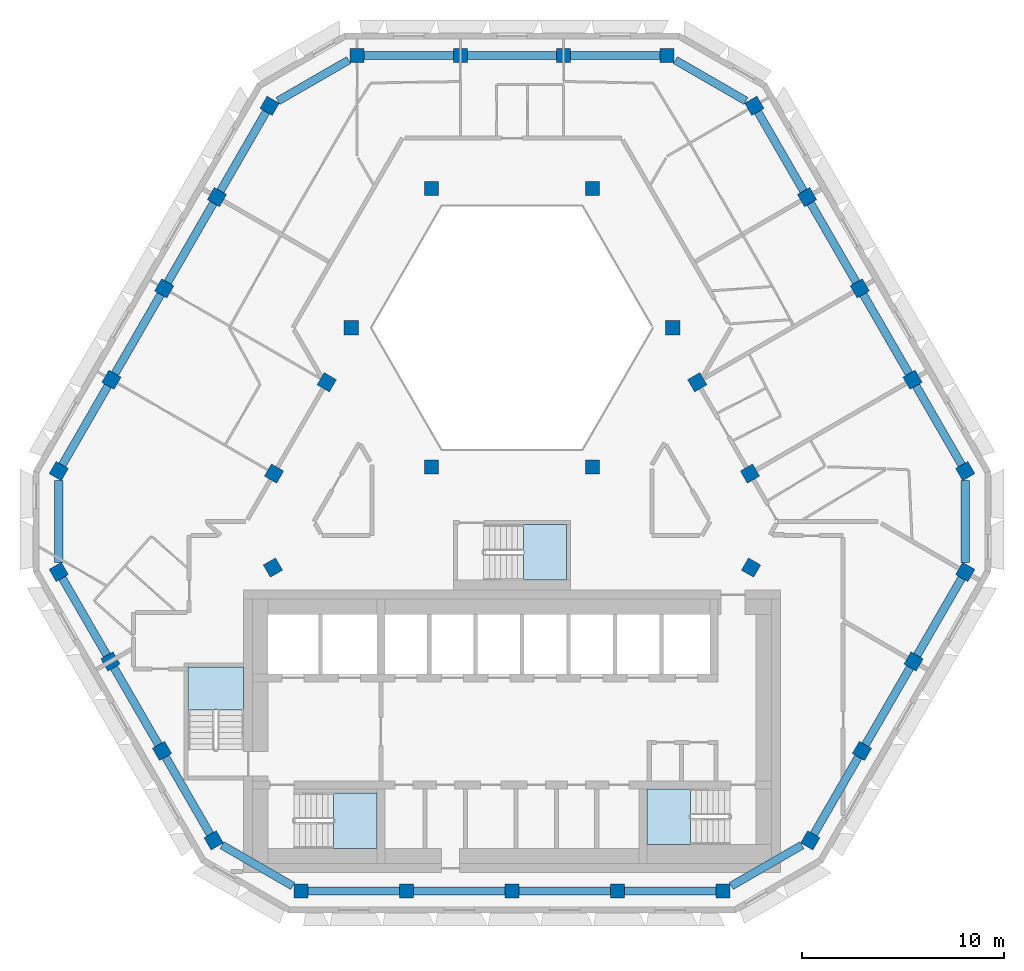
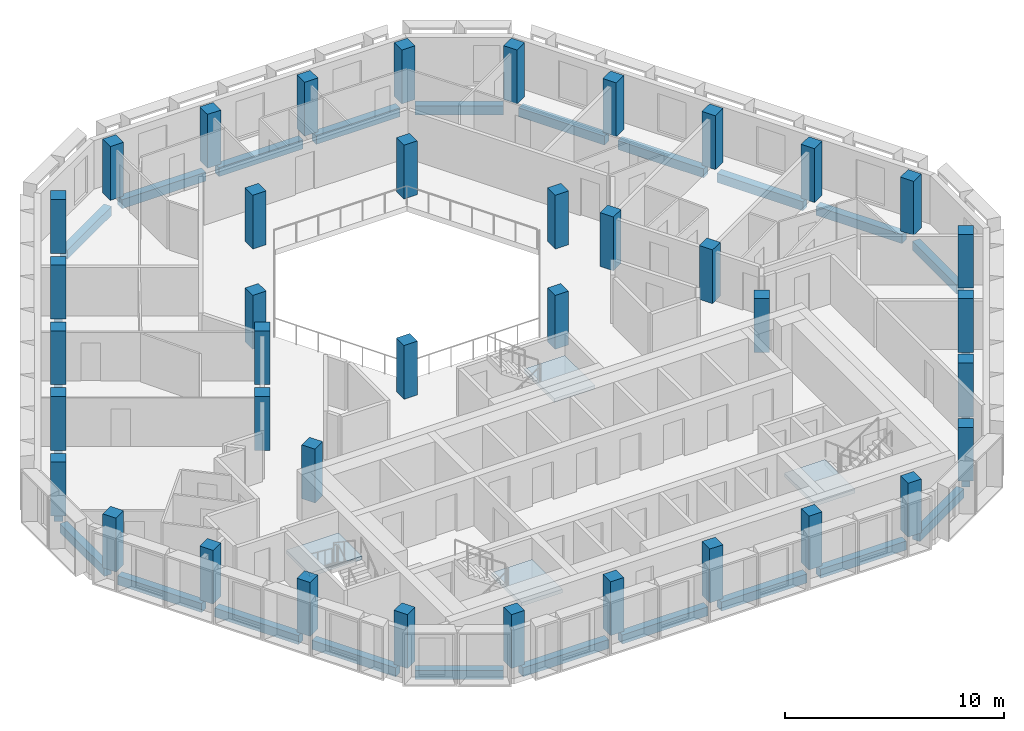
# One storey, part 1 of 14: 39 columns, 27 beams, 4 slabs, 4 elements without a shape of their own.
"""IFC4 building model written with IfcOpenShell, lengths in metres."""

from ifc_helpers import new_model, si_unit, direction, frame, origin, origin_2d, place, context, subcontext, project, spatial, polyline, rectangle, outline, extrude, material, layer, layer_set, material_profile, profile_set, type_object, element, aggregate, save


model = new_model("IFC4")

# Units and contexts
model_context = context("Model", 3, precision=1e-05, world=origin(), true_north=direction((0.0, 1.0)))
body_context = subcontext(model_context, "Body", "Model", "MODEL_VIEW")
ifc_project = project(units=[si_unit("LENGTHUNIT", "METRE"), si_unit("AREAUNIT", "SQUARE_METRE"), si_unit("VOLUMEUNIT", "CUBIC_METRE"), si_unit("PLANEANGLEUNIT", "RADIAN"), si_unit("MASSUNIT", "GRAM", prefix="KILO")], contexts=[model_context])

# Site, building, storey
site_placement = place(None, origin())
site = spatial("IfcSite", under=ifc_project, at=site_placement, CompositionType="ELEMENT")
building_placement = place(site_placement, origin())
building = spatial("IfcBuilding", under=site, at=building_placement, Name="Beryl Residences", CompositionType="ELEMENT")
storey_placement = place(building_placement, frame((0.0, 0.0, 229.800048828125)))
storey = spatial("IfcBuildingStorey", under=building, at=storey_placement, Name="L71", CompositionType="ELEMENT", Elevation=229.800048828125)

# Columns
ifc_material_1 = material(Name="Concrete C50/60", Category="concrete")
ifc_material_profile_1 = material_profile(ifc_material_1, rectangle(XDim=0.699951171875, YDim=0.699951171875, at=origin_2d()))
ifc_profile_set_1 = profile_set([ifc_material_profile_1], Name="Concrete C50/60")
column_type_1 = type_object("IfcColumnType", Name="C5 tube column 700 x 700 C50/60", PredefinedType="COLUMN", material=ifc_profile_set_1)
for number, where, z_axis, x_axis, name in (
    (1, (7.678955078125, 21.5, 0.0), (0.0, 0.0, 1.0), (-1.0, 0.0, 0.0), "C5-N1 L71"),
    (2, (2.56005859375, 21.5, 0.0), (0.0, 0.0, 1.0), (-1.0, 0.0, 0.0), "C5-N2 L71"),
    (3, (-2.55908203125, 21.5, 0.0), (0.0, 0.0, 1.0), (-1.0, 0.0, 0.0), "C5-N3 L71"),
    (4, (-7.677978515625, 21.5, 0.0), (0.0, 0.0, 1.0), (-1.0, 0.0, 0.0), "C5-N4 L71"),
    (5, (-12.009033203125, 19.0, 0.0), (0.0, 0.0, 1.0), (-0.499969769706, -0.866042856549, 0.0), "C5-NW1 L71"),
    (6, (-14.62109375, 14.47509765625, 0.0), (0.0, 0.0, 1.0), (-0.499969769706, -0.866042856549, 0.0), "C5-NW2 L71"),
    (7, (-17.23291015625, 9.949951171875, 0.0), (0.0, 0.0, 1.0), (-0.499969769706, -0.866042856549, 0.0), "C5-NW3 L71"),
    (8, (-19.845947265625, 5.425048828125, 0.0), (0.0, 0.0, 1.0), (-0.499969769706, -0.866042856549, 0.0), "C5-NW4 L71"),
    (9, (-22.4580078125, 0.89990234375, 0.0), (0.0, 0.0, 1.0), (-0.499969769706, -0.866042856549, 0.0), "C5-NW5 L71"),
    (10, (-22.458984375, -4.10009765625, 0.0), (0.0, 0.0, 1.0), (0.499984884929, -0.866034130299, 0.0), "C5-SW1 L71"),
    (11, (-19.89892578125, -8.532958984375, 0.0), (0.0, 0.0, 1.0), (0.499984884929, -0.866034130299, 0.0), "C5-SW2 L71"),
    (12, (-17.340087890625, -12.966064453125, 0.0), (0.0, 0.0, 1.0), (0.499984884929, -0.866034130299, 0.0), "C5-SW3 L71"),
    (13, (-14.781005859375, -17.39892578125, 0.0), (0.0, 0.0, 1.0), (0.499984884929, -0.866034130299, 0.0), "C5-SW4 L71"),
    (14, (-10.449951171875, -19.89990234375, 0.0), (0.0, 0.0, 1.0), (1.0, 0.0, 0.0), "C5-S1 L71"),
    (15, (-5.22509765625, -19.89990234375, 0.0), (0.0, 0.0, 1.0), (1.0, 0.0, 0.0), "C5-S2 L71"),
    (16, (0.0, -19.89990234375, 0.0), (0.0, 0.0, 1.0), (1.0, 0.0, 0.0), "C5-S3 L71"),
    (17, (5.22509765625, -19.89990234375, 0.0), (0.0, 0.0, 1.0), (1.0, 0.0, 0.0), "C5-S4 L71"),
    (18, (10.449951171875, -19.89990234375, 0.0), (0.0, 0.0, 1.0), (1.0, 0.0, 0.0), "C5-S5 L71"),
    (19, (14.780029296875, -17.39990234375, 0.0), (0.0, 0.0, 1.0), (0.499984884929, 0.866034130299, 0.0), "C5-SE1 L71"),
    (20, (17.339111328125, -12.967041015625, 0.0), (0.0, 0.0, 1.0), (0.499984884929, 0.866034130299, 0.0), "C5-SE2 L71"),
    (21, (19.89892578125, -8.533935546875, 0.0), (0.0, 0.0, 1.0), (0.499984884929, 0.866034130299, 0.0), "C5-SE3 L71"),
    (22, (22.4580078125, -4.10107421875, 0.0), (0.0, 0.0, 1.0), (0.499984884929, 0.866034130299, 0.0), "C5-SE4 L71"),
    (23, (22.4580078125, 0.89990234375, 0.0), (0.0, 0.0, 1.0), (-0.499969769706, 0.866042856549, 0.0), "C5-NE1 L71"),
    (24, (19.845947265625, 5.425048828125, 0.0), (0.0, 0.0, 1.0), (-0.499969769706, 0.866042856549, 0.0), "C5-NE2 L71"),
    (25, (17.23291015625, 9.949951171875, 0.0), (0.0, 0.0, 1.0), (-0.499969769706, 0.866042856549, 0.0), "C5-NE3 L71"),
    (26, (14.62109375, 14.47509765625, 0.0), (0.0, 0.0, 1.0), (-0.499969769706, 0.866042856549, 0.0), "C5-NE4 L71"),
    (27, (12.009033203125, 19.0, 0.0), (0.0, 0.0, 1.0), (-0.499969769706, 0.866042856549, 0.0), "C5-NE5 L71"),
):
    element("IfcColumn", number, at=place(storey_placement, frame(where, z_axis=z_axis, x_axis=x_axis)), inside=storey, type_object=column_type_1, Name=name, PredefinedType="COLUMN", context=body_context, shape_type="SweptSolid", body=[
        extrude(rectangle(XDim=0.699951171875, YDim=0.699951171875, at=origin_2d()), origin(), (0.0, 0.0, 1.0), 3.0),
    ])
ifc_material_2 = material(Name="Concrete C50/60", Category="concrete")
ifc_material_profile_2 = material_profile(ifc_material_2, rectangle(XDim=0.699951171875, YDim=0.699951171875, at=origin_2d()))
ifc_profile_set_2 = profile_set([ifc_material_profile_2], Name="Concrete C50/60")
column_type_2 = type_object("IfcColumnType", Name="IC5 interior column 700 x 700 C50/60", PredefinedType="COLUMN", material=ifc_profile_set_2)
for number, where, z_axis, x_axis, name in (
    (28, (-11.844970703125, -3.883056640625, 0.0), (0.0, 0.0, 1.0), (0.499984884929, -0.866034130299, 0.0), "IC5-M01 L71"),
    (29, (11.844970703125, -3.884033203125, 0.0), (0.0, 0.0, 1.0), (0.499984884929, 0.866034130299, 0.0), "IC5-M02 L71"),
    (30, (11.7919921875, 0.77490234375, 0.0), (0.0, 0.0, 1.0), (-0.499969769706, 0.866042856549, 0.0), "IC5-M03 L71"),
    (31, (3.98388671875, 1.10009765625, 0.0), (0.0, 0.0, 1.0), (1.0, 0.0, 0.0), "IC5-A04 L71"),
    (32, (9.178955078125, 5.300048828125, 0.0), (0.0, 0.0, 1.0), (-0.499969769706, 0.866042856549, 0.0), "IC5-M05 L71"),
    (33, (7.967041015625, 8.0, 0.0), (0.0, 0.0, 1.0), (1.0, 0.0, 0.0), "IC5-A06 L71"),
    (34, (3.98388671875, 14.89990234375, 0.0), (0.0, 0.0, 1.0), (1.0, 0.0, 0.0), "IC5-A07 L71"),
    (35, (-3.98388671875, 14.89990234375, 0.0), (0.0, 0.0, 1.0), (1.0, 0.0, 0.0), "IC5-A08 L71"),
    (36, (-7.967041015625, 8.0, 0.0), (0.0, 0.0, 1.0), (1.0, 0.0, 0.0), "IC5-A09 L71"),
    (37, (-9.178955078125, 5.300048828125, 0.0), (0.0, 0.0, 1.0), (-0.499969769706, -0.866042856549, 0.0), "IC5-M10 L71"),
    (38, (-3.98388671875, 1.10009765625, 0.0), (0.0, 0.0, 1.0), (1.0, 0.0, 0.0), "IC5-A11 L71"),
    (39, (-11.7919921875, 0.77490234375, 0.0), (0.0, 0.0, 1.0), (-0.499969769706, -0.866042856549, 0.0), "IC5-M12 L71"),
):
    element("IfcColumn", number, at=place(storey_placement, frame(where, z_axis=z_axis, x_axis=x_axis)), inside=storey, type_object=column_type_2, Name=name, PredefinedType="COLUMN", context=body_context, shape_type="SweptSolid", body=[
        extrude(rectangle(XDim=0.699951171875, YDim=0.699951171875, at=origin_2d()), origin(), (0.0, 0.0, 1.0), 3.0),
    ])

# Beams
ifc_material_3 = material(Name="Concrete C50/60", Category="concrete")
ifc_material_profile_3 = material_profile(ifc_material_3, rectangle(XDim=0.39990234375, YDim=0.5, at=origin_2d()))
ifc_profile_set_3 = profile_set([ifc_material_profile_3], Name="Concrete C50/60")
beam_type = type_object("IfcBeamType", Name="SB5 spandrel beam 400 x 500 C50/60", PredefinedType="SPANDREL", material=ifc_profile_set_3)
beam_1_placement = place(storey_placement, frame((7.3291015625, 21.5, -0.550048828125), z_axis=(-1.0, 0.0, 0.0), x_axis=(0.0, -1.0, 0.0)))
element("IfcBeam", 40, at=beam_1_placement, inside=storey, type_object=beam_type, Name="SB5 L71 N-0", PredefinedType="SPANDREL", context=body_context, shape_type="SweptSolid", body=[
    extrude(rectangle(XDim=0.39990234375, YDim=0.5, at=origin_2d()), origin(), (0.0, 0.0, 1.0), 4.419189453125),
])
for number, where, z_axis, x_axis, name in (
    (41, (2.2099609375, 21.5, -0.550048828125), (-1.0, 0.0, 0.0), (0.0, -1.0, 0.0), "SB5 L71 N-1"),
    (42, (-2.908935546875, 21.5, -0.550048828125), (-1.0, 0.0, 0.0), (0.0, -1.0, 0.0), "SB5 L71 N-2"),
):
    element("IfcBeam", number, at=place(storey_placement, frame(where, z_axis=z_axis, x_axis=x_axis)), inside=storey, type_object=beam_type, Name=name, PredefinedType="SPANDREL", context=body_context, shape_type="SweptSolid", body=[
        extrude(rectangle(XDim=0.39990234375, YDim=0.5, at=origin_2d()), origin(), (0.0, 0.0, 1.0), 4.4189453125),
    ])
beam_2_placement = place(storey_placement, frame((-8.092041015625, 21.260986328125, -0.550048828125), z_axis=(-0.866073013527, -0.499917528438, 0.0), x_axis=(0.499917528438, -0.866073013527, 0.0)))
element("IfcBeam", 43, at=beam_2_placement, inside=storey, type_object=beam_type, Name="SB5 L71 N-3", PredefinedType="SPANDREL", context=body_context, shape_type="SweptSolid", body=[
    extrude(rectangle(XDim=0.39990234375, YDim=0.5, at=origin_2d()), origin(), (0.0, 0.0, 1.0), 4.044677734375),
])
beam_3_placement = place(storey_placement, frame((-12.18408203125, 18.697021484375, -0.550048828125), z_axis=(-0.499893710643, -0.866086761277, 0.0), x_axis=(0.866086761277, -0.499893710643, 0.0)))
element("IfcBeam", 44, at=beam_3_placement, inside=storey, type_object=beam_type, Name="SB5 L71 NW-0", PredefinedType="SPANDREL", context=body_context, shape_type="SweptSolid", body=[
    extrude(rectangle(XDim=0.39990234375, YDim=0.5, at=origin_2d()), origin(), (0.0, 0.0, 1.0), 4.52490234375),
])
beam_4_placement = place(storey_placement, frame((-14.7958984375, 14.172119140625, -0.550048828125), z_axis=(-0.499910821401, -0.866076884951, 0.0), x_axis=(0.866076884951, -0.499910821401, 0.0)))
element("IfcBeam", 45, at=beam_4_placement, inside=storey, type_object=beam_type, Name="SB5 L71 NW-1", PredefinedType="SPANDREL", context=body_context, shape_type="SweptSolid", body=[
    extrude(rectangle(XDim=0.39990234375, YDim=0.5, at=origin_2d()), origin(), (0.0, 0.0, 1.0), 4.525146484375),
])
beam_5_placement = place(storey_placement, frame((-17.407958984375, 9.64697265625, -0.550048828125), z_axis=(-0.500055572588, -0.865993316558, 0.0), x_axis=(0.865993316558, -0.500055572588, 0.0)))
element("IfcBeam", 46, at=beam_5_placement, inside=storey, type_object=beam_type, Name="SB5 L71 NW-2", PredefinedType="SPANDREL", context=body_context, shape_type="SweptSolid", body=[
    extrude(rectangle(XDim=0.39990234375, YDim=0.5, at=origin_2d()), origin(), (0.0, 0.0, 1.0), 4.525390625),
])
beam_6_placement = place(storey_placement, frame((-20.02099609375, 5.1220703125, -0.550048828125), z_axis=(-0.499870351634, -0.866100243365, 0.0), x_axis=(0.866100243365, -0.499870351634, 0.0)))
element("IfcBeam", 47, at=beam_6_placement, inside=storey, type_object=beam_type, Name="SB5 L71 NW-3", PredefinedType="SPANDREL", context=body_context, shape_type="SweptSolid", body=[
    extrude(rectangle(XDim=0.39990234375, YDim=0.5, at=origin_2d()), origin(), (0.0, 0.0, 1.0), 4.525146484375),
])
beam_7_placement = place(storey_placement, frame((-22.4580078125, 0.422119140625, -0.550048828125), z_axis=(-0.000241472978, -0.999999970845, 0.0), x_axis=(0.999999970845, -0.000241472978, 0.0)))
element("IfcBeam", 48, at=beam_7_placement, inside=storey, type_object=beam_type, Name="SB5 L71 NW-4", PredefinedType="SPANDREL", context=body_context, shape_type="SweptSolid", body=[
    extrude(rectangle(XDim=0.39990234375, YDim=0.5, at=origin_2d()), origin(), (0.0, 0.0, 1.0), 4.044189453125),
])
beam_8_placement = place(storey_placement, frame((-22.283935546875, -4.403076171875, -0.550048828125), z_axis=(0.500084296963, -0.86597672944, 0.0), x_axis=(0.86597672944, 0.500084296963, 0.0)))
element("IfcBeam", 49, at=beam_8_placement, inside=storey, type_object=beam_type, Name="SB5 L71 SW-0", PredefinedType="SPANDREL", context=body_context, shape_type="SweptSolid", body=[
    extrude(rectangle(XDim=0.39990234375, YDim=0.5, at=origin_2d()), origin(), (0.0, 0.0, 1.0), 4.419189453125),
])
beam_9_placement = place(storey_placement, frame((-19.72412109375, -8.8359375, -0.550048828125), z_axis=(0.49993607075, -0.866062310208, 0.0), x_axis=(0.866062310208, 0.49993607075, 0.0)))
element("IfcBeam", 50, at=beam_9_placement, inside=storey, type_object=beam_type, Name="SB5 L71 SW-1", PredefinedType="SPANDREL", context=body_context, shape_type="SweptSolid", body=[
    extrude(rectangle(XDim=0.39990234375, YDim=0.5, at=origin_2d()), origin(), (0.0, 0.0, 1.0), 4.4189453125),
])
beam_10_placement = place(storey_placement, frame((-17.1650390625, -13.26904296875, -0.550048828125), z_axis=(0.499918550948, -0.86607242331, 0.0), x_axis=(0.86607242331, 0.499918550948, 0.0)))
element("IfcBeam", 51, at=beam_10_placement, inside=storey, type_object=beam_type, Name="SB5 L71 SW-2", PredefinedType="SPANDREL", context=body_context, shape_type="SweptSolid", body=[
    extrude(rectangle(XDim=0.39990234375, YDim=0.5, at=origin_2d()), origin(), (0.0, 0.0, 1.0), 4.418701171875),
])
beam_11_placement = place(storey_placement, frame((-14.366943359375, -17.637939453125, -0.550048828125), z_axis=(0.865968468779, -0.500098601359, 0.0), x_axis=(0.500098601359, 0.865968468779, 0.0)))
element("IfcBeam", 52, at=beam_11_placement, inside=storey, type_object=beam_type, Name="SB5 L71 SW-3", PredefinedType="SPANDREL", context=body_context, shape_type="SweptSolid", body=[
    extrude(rectangle(XDim=0.39990234375, YDim=0.5, at=origin_2d()), origin(), (0.0, 0.0, 1.0), 4.045166015625),
])
beam_12_placement = place(storey_placement, frame((-10.10009765625, -19.89990234375, -0.550048828125), z_axis=(1.0, 0.0, 0.0), x_axis=(0.0, 1.0, 0.0)))
element("IfcBeam", 53, at=beam_12_placement, inside=storey, type_object=beam_type, Name="SB5 L71 S-0", PredefinedType="SPANDREL", context=body_context, shape_type="SweptSolid", body=[
    extrude(rectangle(XDim=0.39990234375, YDim=0.5, at=origin_2d()), origin(), (0.0, 0.0, 1.0), 4.525146484375),
])
for number, where, z_axis, x_axis, name in (
    (54, (-4.875, -19.89990234375, -0.550048828125), (1.0, 0.0, 0.0), (0.0, 1.0, 0.0), "SB5 L71 S-1"),
    (55, (0.35009765625, -19.89990234375, -0.550048828125), (1.0, 0.0, 0.0), (0.0, 1.0, 0.0), "SB5 L71 S-2"),
):
    element("IfcBeam", number, at=place(storey_placement, frame(where, z_axis=z_axis, x_axis=x_axis)), inside=storey, type_object=beam_type, Name=name, PredefinedType="SPANDREL", context=body_context, shape_type="SweptSolid", body=[
        extrude(rectangle(XDim=0.39990234375, YDim=0.5, at=origin_2d()), origin(), (0.0, 0.0, 1.0), 4.52490234375),
    ])
beam_13_placement = place(storey_placement, frame((5.574951171875, -19.89990234375, -0.550048828125), z_axis=(1.0, 0.0, 0.0), x_axis=(0.0, 1.0, 0.0)))
element("IfcBeam", 56, at=beam_13_placement, inside=storey, type_object=beam_type, Name="SB5 L71 S-3", PredefinedType="SPANDREL", context=body_context, shape_type="SweptSolid", body=[
    extrude(rectangle(XDim=0.39990234375, YDim=0.5, at=origin_2d()), origin(), (0.0, 0.0, 1.0), 4.525146484375),
])
beam_14_placement = place(storey_placement, frame((10.864013671875, -19.660888671875, -0.550048828125), z_axis=(0.866012652573, 0.500022085096, 0.0), x_axis=(-0.500022085096, 0.866012652573, 0.0)))
element("IfcBeam", 57, at=beam_14_placement, inside=storey, type_object=beam_type, Name="SB5 L71 S-4", PredefinedType="SPANDREL", context=body_context, shape_type="SweptSolid", body=[
    extrude(rectangle(XDim=0.39990234375, YDim=0.5, at=origin_2d()), origin(), (0.0, 0.0, 1.0), 4.043701171875),
])
beam_15_placement = place(storey_placement, frame((14.955078125, -17.096923828125, -0.550048828125), z_axis=(0.499918550948, 0.86607242331, 0.0), x_axis=(-0.86607242331, 0.499918550948, 0.0)))
element("IfcBeam", 58, at=beam_15_placement, inside=storey, type_object=beam_type, Name="SB5 L71 SE-0", PredefinedType="SPANDREL", context=body_context, shape_type="SweptSolid", body=[
    extrude(rectangle(XDim=0.39990234375, YDim=0.5, at=origin_2d()), origin(), (0.0, 0.0, 1.0), 4.418701171875),
])
beam_16_placement = place(storey_placement, frame((17.513916015625, -12.6640625, -0.550048828125), z_axis=(0.500101800387, 0.865966621326, 0.0), x_axis=(-0.865966621326, 0.500101800387, 0.0)))
element("IfcBeam", 59, at=beam_16_placement, inside=storey, type_object=beam_type, Name="SB5 L71 SE-1", PredefinedType="SPANDREL", context=body_context, shape_type="SweptSolid", body=[
    extrude(rectangle(XDim=0.39990234375, YDim=0.5, at=origin_2d()), origin(), (0.0, 0.0, 1.0), 4.41943359375),
])
beam_17_placement = place(storey_placement, frame((20.073974609375, -8.23095703125, -0.550048828125), z_axis=(0.499918550948, 0.86607242331, 0.0), x_axis=(-0.86607242331, 0.499918550948, 0.0)))
element("IfcBeam", 60, at=beam_17_placement, inside=storey, type_object=beam_type, Name="SB5 L71 SE-2", PredefinedType="SPANDREL", context=body_context, shape_type="SweptSolid", body=[
    extrude(rectangle(XDim=0.39990234375, YDim=0.5, at=origin_2d()), origin(), (0.0, 0.0, 1.0), 4.418701171875),
])
beam_18_placement = place(storey_placement, frame((22.4580078125, -3.623046875, -0.550048828125), z_axis=(0.0, 1.0, 0.0), x_axis=(-1.0, 0.0, 0.0)))
element("IfcBeam", 61, at=beam_18_placement, inside=storey, type_object=beam_type, Name="SB5 L71 SE-3", PredefinedType="SPANDREL", context=body_context, shape_type="SweptSolid", body=[
    extrude(rectangle(XDim=0.39990234375, YDim=0.5, at=origin_2d()), origin(), (0.0, 0.0, 1.0), 4.045166015625),
])
beam_19_placement = place(storey_placement, frame((22.282958984375, 1.202880859375, -0.550048828125), z_axis=(-0.499870351634, 0.866100243365, 0.0), x_axis=(-0.866100243365, -0.499870351634, 0.0)))
element("IfcBeam", 62, at=beam_19_placement, inside=storey, type_object=beam_type, Name="SB5 L71 NE-0", PredefinedType="SPANDREL", context=body_context, shape_type="SweptSolid", body=[
    extrude(rectangle(XDim=0.39990234375, YDim=0.5, at=origin_2d()), origin(), (0.0, 0.0, 1.0), 4.525146484375),
])
beam_20_placement = place(storey_placement, frame((19.6708984375, 5.72802734375, -0.550048828125), z_axis=(-0.500055572588, 0.865993316558, 0.0), x_axis=(-0.865993316558, -0.500055572588, 0.0)))
element("IfcBeam", 63, at=beam_20_placement, inside=storey, type_object=beam_type, Name="SB5 L71 NE-1", PredefinedType="SPANDREL", context=body_context, shape_type="SweptSolid", body=[
    extrude(rectangle(XDim=0.39990234375, YDim=0.5, at=origin_2d()), origin(), (0.0, 0.0, 1.0), 4.525390625),
])
beam_21_placement = place(storey_placement, frame((17.05810546875, 10.2529296875, -0.550048828125), z_axis=(-0.499910821401, 0.866076884951, 0.0), x_axis=(-0.866076884951, -0.499910821401, 0.0)))
element("IfcBeam", 64, at=beam_21_placement, inside=storey, type_object=beam_type, Name="SB5 L71 NE-2", PredefinedType="SPANDREL", context=body_context, shape_type="SweptSolid", body=[
    extrude(rectangle(XDim=0.39990234375, YDim=0.5, at=origin_2d()), origin(), (0.0, 0.0, 1.0), 4.525146484375),
])
beam_22_placement = place(storey_placement, frame((14.446044921875, 14.778076171875, -0.550048828125), z_axis=(-0.499893710643, 0.866086761277, 0.0), x_axis=(-0.866086761277, -0.499893710643, 0.0)))
element("IfcBeam", 65, at=beam_22_placement, inside=storey, type_object=beam_type, Name="SB5 L71 NE-3", PredefinedType="SPANDREL", context=body_context, shape_type="SweptSolid", body=[
    extrude(rectangle(XDim=0.39990234375, YDim=0.5, at=origin_2d()), origin(), (0.0, 0.0, 1.0), 4.52490234375),
])
beam_23_placement = place(storey_placement, frame((11.594970703125, 19.239013671875, -0.550048828125), z_axis=(-0.866012652573, 0.500022085096, 0.0), x_axis=(-0.500022085096, -0.866012652573, 0.0)))
element("IfcBeam", 66, at=beam_23_placement, inside=storey, type_object=beam_type, Name="SB5 L71 NE-4", PredefinedType="SPANDREL", context=body_context, shape_type="SweptSolid", body=[
    extrude(rectangle(XDim=0.39990234375, YDim=0.5, at=origin_2d()), origin(), (0.0, 0.0, 1.0), 4.043701171875),
])

# Stair, slab
ifc_material_4 = material(Name="Concrete C40/50", Category="concrete")
stair_type = type_object("IfcStairType", Name="ST1 protected exit stair, half-turn, 1300 mm flights", PredefinedType="HALF_TURN_STAIR", material=ifc_material_4)
stair_1_placement = place(storey_placement, origin())
stair_1 = element("IfcStair", 67, at=stair_1_placement, inside=storey, type_object=stair_type, Name="L71 PROTECTED EXIT STAIR ST-1", PredefinedType="HALF_TURN_STAIR")
ifc_material_5 = material(Name="Concrete C40/50", Category="concrete")
ifc_layer = layer(ifc_material_5, 0.199951171875)
ifc_layer_set = layer_set([ifc_layer], Name="SLD1 stair landing 200 mm")
slab_type = type_object("IfcSlabType", Name="SLD1 stair landing 200 mm", PredefinedType="LANDING", material=ifc_layer_set)
slab_1_placement = place(storey_placement, frame((0.0, 0.0, 1.300048828125)))
slab_1 = element("IfcSlab", 68, at=slab_1_placement, type_object=slab_type, Name="ST-1 landing 1", PredefinedType="LANDING", context=body_context, shape_type="SweptSolid", body=[
    extrude(outline(polyline([(-8.840087890625, -17.800048828125), (-6.699951171875, -17.800048828125), (-6.699951171875, -15.050048828125), (-8.840087890625, -15.050048828125), (-8.840087890625, -17.800048828125)])), origin(), (0.0, 0.0, 1.0), 0.199951171875),
])
aggregate(stair_1, [slab_1])

stair_2_placement = place(storey_placement, origin())
stair_2 = element("IfcStair", 69, at=stair_2_placement, inside=storey, type_object=stair_type, Name="L71 PROTECTED EXIT STAIR ST-2", PredefinedType="HALF_TURN_STAIR")
slab_2_placement = place(storey_placement, frame((0.0, 0.0, 1.300048828125)))
slab_2 = element("IfcSlab", 70, at=slab_2_placement, type_object=slab_type, Name="ST-2 landing 1", PredefinedType="LANDING", context=body_context, shape_type="SweptSolid", body=[
    extrude(outline(polyline([(-13.300048828125, -10.93994140625), (-13.300048828125, -8.800048828125), (-16.050048828125, -8.800048828125), (-16.050048828125, -10.93994140625), (-13.300048828125, -10.93994140625)])), origin(), (0.0, 0.0, 1.0), 0.199951171875),
])
aggregate(stair_2, [slab_2])

stair_3_placement = place(storey_placement, origin())
stair_3 = element("IfcStair", 71, at=stair_3_placement, inside=storey, type_object=stair_type, Name="L71 PROTECTED EXIT STAIR ST-3", PredefinedType="HALF_TURN_STAIR")
slab_3_placement = place(storey_placement, frame((0.0, 0.0, 1.300048828125)))
slab_3 = element("IfcSlab", 72, at=slab_3_placement, type_object=slab_type, Name="ST-3 landing 1", PredefinedType="LANDING", context=body_context, shape_type="SweptSolid", body=[
    extrude(outline(polyline([(8.840087890625, -14.85009765625), (6.699951171875, -14.85009765625), (6.699951171875, -17.60009765625), (8.840087890625, -17.60009765625), (8.840087890625, -14.85009765625)])), origin(), (0.0, 0.0, 1.0), 0.199951171875),
])
aggregate(stair_3, [slab_3])

stair_4_placement = place(storey_placement, origin())
stair_4 = element("IfcStair", 73, at=stair_4_placement, inside=storey, type_object=stair_type, Name="L71 PROTECTED EXIT STAIR ST-4", PredefinedType="HALF_TURN_STAIR")
slab_4_placement = place(storey_placement, frame((0.0, 0.0, 1.300048828125)))
slab_4 = element("IfcSlab", 74, at=slab_4_placement, type_object=slab_type, Name="ST-4 landing 1", PredefinedType="LANDING", context=body_context, shape_type="SweptSolid", body=[
    extrude(outline(polyline([(0.56005859375, -4.5), (2.699951171875, -4.5), (2.699951171875, -1.75), (0.56005859375, -1.75), (0.56005859375, -4.5)])), origin(), (0.0, 0.0, 1.0), 0.199951171875),
])
aggregate(stair_4, [slab_4])

save(model, "model.ifc")
